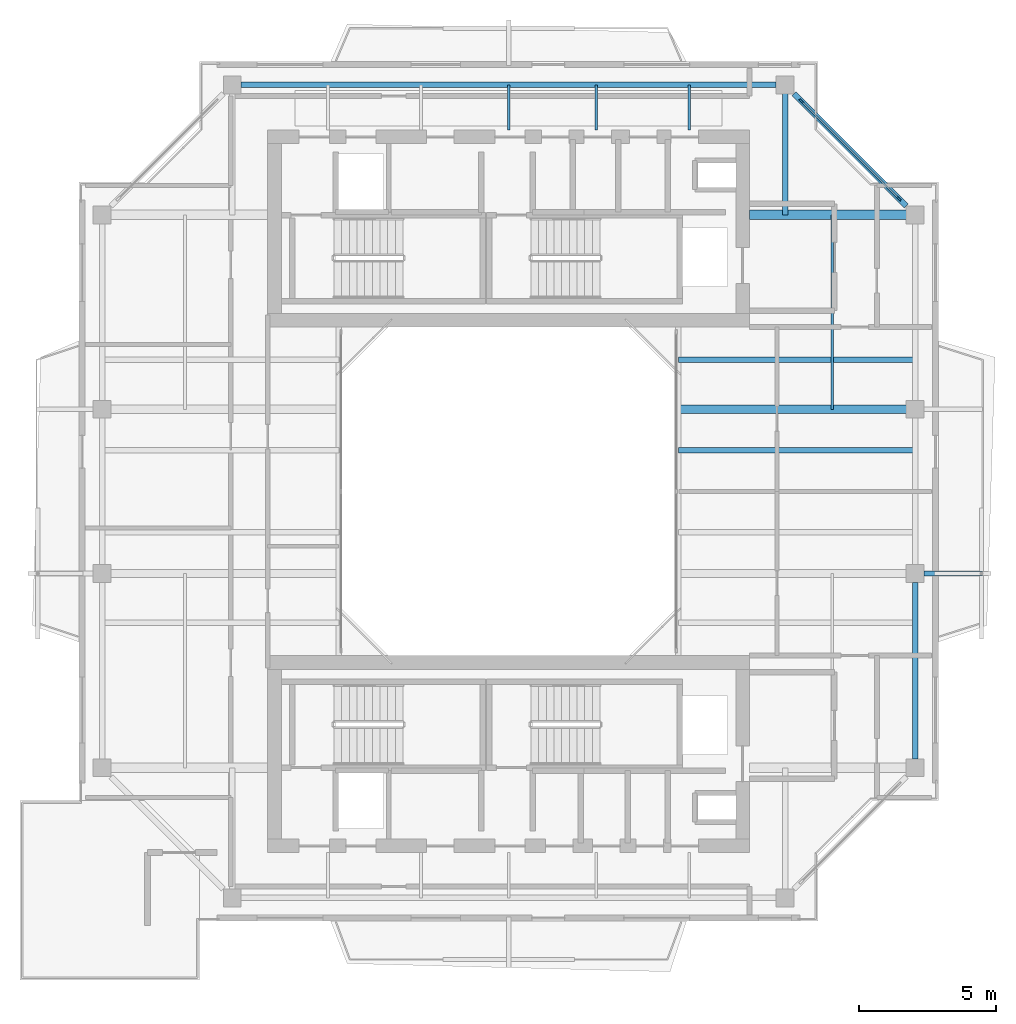
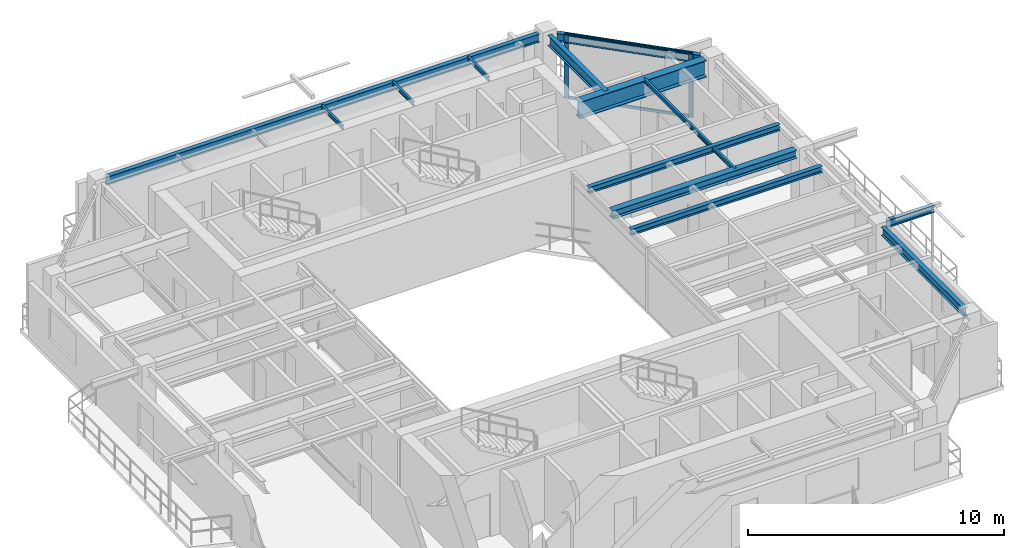
# One storey, part 5 of 14: 13 beams, 4 members, 1 element without a shape of its own.
"""IFC4 building model written with IfcOpenShell, lengths in metres."""

from ifc_helpers import new_model, si_unit, direction, frame, origin, origin_2d, place, context, subcontext, project, spatial, rectangle, i_section, extrude, source, transform, mapped, material, layer, layer_set, material_profile, profile_set, type_object, element, aggregate, save


model = new_model("IFC4")

# Units and contexts
model_context = context("Model", 3, precision=1e-05, world=origin(), true_north=direction((0.0, 1.0)))
body_context = subcontext(model_context, "Body", "Model", "MODEL_VIEW")
ifc_project = project(units=[si_unit("LENGTHUNIT", "METRE"), si_unit("AREAUNIT", "SQUARE_METRE"), si_unit("VOLUMEUNIT", "CUBIC_METRE"), si_unit("PLANEANGLEUNIT", "RADIAN"), si_unit("MASSUNIT", "GRAM", prefix="KILO"), si_unit("THERMODYNAMICTEMPERATUREUNIT", "KELVIN"), si_unit("POWERUNIT", "WATT")], contexts=[model_context])

# Site, building, storey
site_placement = place(None, origin())
site = spatial("IfcSite", under=ifc_project, at=site_placement, CompositionType="ELEMENT")
building_placement = place(site_placement, origin())
building = spatial("IfcBuilding", under=site, at=building_placement, Name="Qiaomeng Ring Towers", CompositionType="ELEMENT")
storey_placement = place(building_placement, frame((0.0, 0.0, 243.75)))
storey = spatial("IfcBuildingStorey", under=building, at=storey_placement, Name="L71", CompositionType="ELEMENT", Elevation=243.75)

# Beams
ifc_material_1 = material(Name="Steel Q355B", Category="steel")
ifc_material_profile_1 = material_profile(ifc_material_1, i_section(OverallWidth=0.198974609375, OverallDepth=0.39599609375, WebThickness=0.007080078125, FlangeThickness=0.010986328125, FilletRadius=0.01611328125, at=origin_2d()), Name="HN 396x199x7x11")
ifc_profile_set_1 = profile_set([ifc_material_profile_1], Name="Steel Q355B")
beam_type_1 = type_object("IfcBeamType", Name="STR-BM-HN396", PredefinedType="SPANDREL", material=ifc_profile_set_1)
shared_shape_1 = source(origin(), body_context, "Body", "SweptSolid", [
    extrude(i_section(OverallWidth=0.198974609375, OverallDepth=0.39599609375, WebThickness=0.007080078125, FlangeThickness=0.010986328125, FilletRadius=0.01611328125, at=origin_2d()), origin(), (0.0, 0.0, 1.0), 19.5517578125),
])
beam_1_placement = place(storey_placement, frame((28.77587890625, 37.85009765625, 2.8720703125), z_axis=(-1.0, 0.0, 0.0), x_axis=(0.0, -1.0, 0.0)))
element("IfcBeam", 1, at=beam_1_placement, inside=storey, type_object=beam_type_1, Name="L71 beam STR-SP-L71-T1-N2-N1", PredefinedType="SPANDREL", context=body_context, shape_type="MappedRepresentation", body=[
    mapped(shared_shape_1, transform((0.0, 0.0, 0.0), x_axis=(1.0, 0.0, 0.0), y_axis=(0.0, 1.0, 0.0), z_axis=(0.0, 0.0, 1.0), scale=1.0)),
])
shared_shape_2 = source(origin(), body_context, "Body", "SweptSolid", [
    extrude(i_section(OverallWidth=0.198974609375, OverallDepth=0.39599609375, WebThickness=0.007080078125, FlangeThickness=0.010986328125, FilletRadius=0.01611328125, at=origin_2d()), origin(), (0.0, 0.0, 1.0), 5.800048828125),
])
beam_2_placement = place(storey_placement, frame((33.525634765625, 33.42431640625, 2.8720703125), z_axis=(-0.707106781187, 0.707106781187, 0.0), x_axis=(-0.707106781187, -0.707106781187, 0.0)))
element("IfcBeam", 2, at=beam_2_placement, inside=storey, type_object=beam_type_1, Name="L71 beam STR-SP-L71-T1-E4-N2", PredefinedType="SPANDREL", context=body_context, shape_type="MappedRepresentation", body=[
    mapped(shared_shape_2, transform((0.0, 0.0, 0.0), x_axis=(1.0, 0.0, 0.0), y_axis=(0.0, 1.0, 0.0), z_axis=(0.0, 0.0, 1.0), scale=1.0)),
])
shared_shape_3 = source(origin(), body_context, "Body", "SweptSolid", [
    extrude(i_section(OverallWidth=0.198974609375, OverallDepth=0.39599609375, WebThickness=0.007080078125, FlangeThickness=0.010986328125, FilletRadius=0.01611328125, at=origin_2d()), origin(), (0.0, 0.0, 1.0), 6.451904296875),
])
beam_3_placement = place(storey_placement, frame((33.85009765625, 13.22412109375, 2.8720703125), z_axis=(0.0, 1.0, 0.0), x_axis=(-1.0, 0.0, 0.0)))
element("IfcBeam", 3, at=beam_3_placement, inside=storey, type_object=beam_type_1, Name="L71 beam STR-SP-L71-T1-E1-E2", PredefinedType="SPANDREL", context=body_context, shape_type="MappedRepresentation", body=[
    mapped(shared_shape_3, transform((0.0, 0.0, 0.0), x_axis=(1.0, 0.0, 0.0), y_axis=(0.0, 1.0, 0.0), z_axis=(0.0, 0.0, 1.0), scale=1.0)),
])
ifc_material_2 = material(Name="Steel Q390GJC", Category="steel")
ifc_material_profile_2 = material_profile(ifc_material_2, i_section(OverallWidth=0.35009765625, OverallDepth=0.800048828125, WebThickness=0.01611328125, FlangeThickness=0.028076171875, at=origin_2d()), Name="WH 800x350x16x28")
ifc_profile_set_2 = profile_set([ifc_material_profile_2], Name="Steel Q390GJC")
beam_type_2 = type_object("IfcBeamType", Name="STR-BM-WH800", PredefinedType="BEAM", material=ifc_profile_set_2)
shared_shape_4 = source(origin(), body_context, "Body", "SweptSolid", [
    extrude(i_section(OverallWidth=0.35009765625, OverallDepth=0.800048828125, WebThickness=0.01611328125, FlangeThickness=0.028076171875, at=origin_2d()), origin(), (0.0, 0.0, 1.0), 5.725830078125),
])
beam_4_placement = place(storey_placement, frame((27.800048828125, 33.10009765625, 2.669921875), z_axis=(1.0, 0.0, 0.0), x_axis=(0.0, 1.0, 0.0)))
element("IfcBeam", 4, at=beam_4_placement, inside=storey, type_object=beam_type_2, Name="L71 beam STR-BM-L71-T1-RAD-E4", PredefinedType="BEAM", context=body_context, shape_type="MappedRepresentation", body=[
    mapped(shared_shape_4, transform((0.0, 0.0, 0.0), x_axis=(1.0, 0.0, 0.0), y_axis=(0.0, 1.0, 0.0), z_axis=(0.0, 0.0, 1.0), scale=1.0)),
])
ifc_material_profile_3 = material_profile(ifc_material_1, i_section(OverallWidth=0.198974609375, OverallDepth=0.49609375, WebThickness=0.009033203125, FlangeThickness=0.013916015625, FilletRadius=0.01806640625, at=origin_2d()), Name="HN 496x199x9x14")
ifc_profile_set_3 = profile_set([ifc_material_profile_3], Name="Steel Q355B")
beam_type_3 = type_object("IfcBeamType", Name="STR-BM-HN496", PredefinedType="BEAM", material=ifc_profile_set_3)
shared_shape_5 = source(origin(), body_context, "Body", "SweptSolid", [
    extrude(i_section(OverallWidth=0.198974609375, OverallDepth=0.49609375, WebThickness=0.009033203125, FlangeThickness=0.013916015625, FilletRadius=0.01806640625, at=origin_2d()), origin(), (0.0, 0.0, 1.0), 4.42578125),
])
beam_5_placement = place(storey_placement, frame((29.10009765625, 37.52587890625, 2.822021484375), z_axis=(0.0, -1.0, 0.0), x_axis=(1.0, 0.0, 0.0)))
element("IfcBeam", 5, at=beam_5_placement, inside=storey, type_object=beam_type_3, Name="L71 beam STR-BM-L71-T1-RAD-N2", PredefinedType="BEAM", context=body_context, shape_type="MappedRepresentation", body=[
    mapped(shared_shape_5, transform((0.0, 0.0, 0.0), x_axis=(1.0, 0.0, 0.0), y_axis=(0.0, 1.0, 0.0), z_axis=(0.0, 0.0, 1.0), scale=1.0)),
])
ifc_material_profile_4 = material_profile(ifc_material_1, i_section(OverallWidth=0.300048828125, OverallDepth=0.389892578125, WebThickness=0.010009765625, FlangeThickness=0.01611328125, FilletRadius=0.02197265625, at=origin_2d()), Name="HM 390x300x10x16")
ifc_profile_set_4 = profile_set([ifc_material_profile_4], Name="Steel Q355B")
beam_type_4 = type_object("IfcBeamType", Name="STR-BM-HM390", PredefinedType="BEAM", material=ifc_profile_set_4)
shared_shape_6 = source(origin(), body_context, "Body", "SweptSolid", [
    extrude(i_section(OverallWidth=0.300048828125, OverallDepth=0.389892578125, WebThickness=0.010009765625, FlangeThickness=0.01611328125, FilletRadius=0.02197265625, at=origin_2d()), origin(), (0.0, 0.0, 1.0), 8.325927734375),
])
beam_6_placement = place(storey_placement, frame((25.199951171875, 26.0, 2.875), z_axis=(1.0, 0.0, 0.0), x_axis=(0.0, 1.0, 0.0)))
element("IfcBeam", 6, at=beam_6_placement, inside=storey, type_object=beam_type_4, Name="L71 beam STR-BM-L71-T1-RAD-E3", PredefinedType="BEAM", context=body_context, shape_type="MappedRepresentation", body=[
    mapped(shared_shape_6, transform((0.0, 0.0, 0.0), x_axis=(1.0, 0.0, 0.0), y_axis=(0.0, 1.0, 0.0), z_axis=(0.0, 0.0, 1.0), scale=1.0)),
])
ifc_material_profile_5 = material_profile(ifc_material_1, i_section(OverallWidth=0.175048828125, OverallDepth=0.35009765625, WebThickness=0.007080078125, FlangeThickness=0.010986328125, FilletRadius=0.013916015625, at=origin_2d()), Name="HN 350x175x7x11")
ifc_profile_set_5 = profile_set([ifc_material_profile_5], Name="Steel Q355B")
beam_type_5 = type_object("IfcBeamType", Name="STR-BM-HN350", PredefinedType="JOIST", material=ifc_profile_set_5)
shared_shape_7 = source(origin(), body_context, "Body", "SweptSolid", [
    extrude(i_section(OverallWidth=0.175048828125, OverallDepth=0.35009765625, WebThickness=0.007080078125, FlangeThickness=0.010986328125, FilletRadius=0.013916015625, at=origin_2d()), origin(), (0.0, 0.0, 1.0), 2.14599609375),
])
beam_7_placement = place(storey_placement, frame((34.174072265625, 20.0, 2.89501953125), z_axis=(1.0, 0.0, 0.0), x_axis=(0.0, 1.0, 0.0)))
element("IfcBeam", 7, at=beam_7_placement, inside=storey, type_object=beam_type_5, Name="L71 beam STR-BALBM-L71-E2", PredefinedType="JOIST", context=body_context, shape_type="MappedRepresentation", body=[
    mapped(shared_shape_7, transform((0.0, 0.0, 0.0), x_axis=(1.0, 0.0, 0.0), y_axis=(0.0, 1.0, 0.0), z_axis=(0.0, 0.0, 1.0), scale=1.0)),
])
ifc_material_profile_6 = material_profile(ifc_material_1, i_section(OverallWidth=0.10009765625, OverallDepth=0.199951171875, WebThickness=0.005615234375, FlangeThickness=0.008056640625, FilletRadius=0.010986328125, at=origin_2d()), Name="HN 200x100x5.5x8")
ifc_profile_set_6 = profile_set([ifc_material_profile_6], Name="Steel Q355B")
beam_type_6 = type_object("IfcBeamType", Name="STR-BM-HN200", PredefinedType="JOIST", material=ifc_profile_set_6)
shared_shape_8 = source(origin(), body_context, "Body", "SweptSolid", [
    extrude(i_section(OverallWidth=0.10009765625, OverallDepth=0.199951171875, WebThickness=0.005615234375, FlangeThickness=0.008056640625, FilletRadius=0.010986328125, at=origin_2d()), origin(), (0.0, 0.0, 1.0), 1.650146484375),
])
for number, where, z_axis, x_axis, name in (
    (8, (19.0, 36.199951171875, 2.969970703125), (0.0, 1.0, 0.0), (-1.0, 0.0, 0.0), "L71 beam STR-JST-L71-T1N-3"),
    (9, (22.199951171875, 36.199951171875, 2.969970703125), (0.0, 1.0, 0.0), (-1.0, 0.0, 0.0), "L71 beam STR-JST-L71-T1N-4"),
    (10, (25.60009765625, 36.199951171875, 2.969970703125), (0.0, 1.0, 0.0), (-1.0, 0.0, 0.0), "L71 beam STR-JST-L71-T1N-5"),
):
    element("IfcBeam", number, at=place(storey_placement, frame(where, z_axis=z_axis, x_axis=x_axis)), inside=storey, type_object=beam_type_6, Name=name, PredefinedType="JOIST", context=body_context, shape_type="MappedRepresentation", body=[
        mapped(shared_shape_8, transform((0.0, 0.0, 0.0), x_axis=(1.0, 0.0, 0.0), y_axis=(0.0, 1.0, 0.0), z_axis=(0.0, 0.0, 1.0), scale=1.0)),
    ])
ifc_material_profile_7 = material_profile(ifc_material_1, i_section(OverallWidth=0.199951171875, OverallDepth=0.2939453125, WebThickness=0.008056640625, FlangeThickness=0.011962890625, FilletRadius=0.01806640625, at=origin_2d()), Name="HM 294x200x8x12")
ifc_profile_set_7 = profile_set([ifc_material_profile_7], Name="Steel Q355B")
beam_type_7 = type_object("IfcBeamType", Name="STR-BM-HM294", PredefinedType="JOIST", material=ifc_profile_set_7)
shared_shape_9 = source(origin(), body_context, "Body", "SweptSolid", [
    extrude(i_section(OverallWidth=0.199951171875, OverallDepth=0.2939453125, WebThickness=0.008056640625, FlangeThickness=0.011962890625, FilletRadius=0.01806640625, at=origin_2d()), origin(), (0.0, 0.0, 1.0), 8.650146484375),
])
for number, where, z_axis, x_axis, name in (
    (11, (25.199951171875, 24.5, 2.923095703125), (1.0, 0.0, 0.0), (0.0, 1.0, 0.0), "L71 beam STR-JST-L71-T1E-3"),
    (12, (25.199951171875, 27.800048828125, 2.923095703125), (1.0, 0.0, 0.0), (0.0, 1.0, 0.0), "L71 beam STR-JST-L71-T1E-4"),
):
    element("IfcBeam", number, at=place(storey_placement, frame(where, z_axis=z_axis, x_axis=x_axis)), inside=storey, type_object=beam_type_7, Name=name, PredefinedType="JOIST", context=body_context, shape_type="MappedRepresentation", body=[
        mapped(shared_shape_9, transform((0.0, 0.0, 0.0), x_axis=(1.0, 0.0, 0.0), y_axis=(0.0, 1.0, 0.0), z_axis=(0.0, 0.0, 1.0), scale=1.0)),
    ])
shared_shape_10 = source(origin(), body_context, "Body", "SweptSolid", [
    extrude(i_section(OverallWidth=0.10009765625, OverallDepth=0.199951171875, WebThickness=0.005615234375, FlangeThickness=0.008056640625, FilletRadius=0.010986328125, at=origin_2d()), origin(), (0.0, 0.0, 1.0), 7.10009765625),
])
beam_8_placement = place(storey_placement, frame((30.824951171875, 26.0, 2.969970703125), z_axis=(0.0, 1.0, 0.0), x_axis=(-1.0, 0.0, 0.0)))
element("IfcBeam", 13, at=beam_8_placement, inside=storey, type_object=beam_type_6, Name="L71 beam STR-JST-L71-T1C-EN", PredefinedType="JOIST", context=body_context, shape_type="MappedRepresentation", body=[
    mapped(shared_shape_10, transform((0.0, 0.0, 0.0), x_axis=(1.0, 0.0, 0.0), y_axis=(0.0, 1.0, 0.0), z_axis=(0.0, 0.0, 1.0), scale=1.0)),
])

# Curtain wall, members
ifc_material_3 = material(Name="Fluorocarbon dark-grey aluminium", Category="aluminium")
ifc_layer = layer(ifc_material_3, 0.14990234375, Name="Fluorocarbon dark-grey aluminium")
ifc_layer_set = layer_set([ifc_layer], Name="Fluorocarbon dark-grey aluminium")
curtain_wall_type = type_object("IfcCurtainWallType", Name="ARC-CW-3", PredefinedType="NOTDEFINED", material=ifc_layer_set)
curtain_wall_placement = place(storey_placement, origin())
curtain_wall = element("IfcCurtainWall", 14, at=curtain_wall_placement, inside=storey, type_object=curtain_wall_type, Name="L71 Curtain Wall CW3", PredefinedType="NOTDEFINED")
ifc_material_profile_8 = material_profile(ifc_material_3, rectangle(XDim=0.070068359375, YDim=0.179931640625, at=origin_2d()), Name="ALU MULL 70x180")
ifc_profile_set_8 = profile_set([ifc_material_profile_8], Name="Fluorocarbon dark-grey aluminium")
member_type_1 = type_object("IfcMemberType", Name="ARC-CWM-160", PredefinedType="MULLION", material=ifc_profile_set_8)
shared_shape_11 = source(origin(), body_context, "Body", "SweptSolid", [
    extrude(rectangle(XDim=0.070068359375, YDim=0.179931640625, at=origin_2d()), origin(), (0.0, 0.0, 1.0), 3.070068359375),
])
member_1_placement = place(storey_placement, frame((33.26025390625, 33.689697265625, 0.0), z_axis=(0.0, 0.0, 1.0), x_axis=(-0.707106781187, -0.707106781187, 0.0)))
member_1 = element("IfcMember", 15, at=member_1_placement, type_object=member_type_1, Name="CW3 mullion 1", PredefinedType="MULLION", context=body_context, shape_type="MappedRepresentation", body=[
    mapped(shared_shape_11, transform((0.0, 0.0, 0.0), x_axis=(1.0, 0.0, 0.0), y_axis=(0.0, 1.0, 0.0), z_axis=(0.0, 0.0, 1.0), scale=1.0)),
])
member_2_placement = place(storey_placement, frame((29.689697265625, 37.26025390625, 0.0), z_axis=(0.0, 0.0, 1.0), x_axis=(-0.707106781187, -0.707106781187, 0.0)))
member_2 = element("IfcMember", 16, at=member_2_placement, type_object=member_type_1, Name="CW3 mullion 2", PredefinedType="MULLION", context=body_context, shape_type="MappedRepresentation", body=[
    mapped(shared_shape_11, transform((0.0, 0.0, 0.0), x_axis=(1.0, 0.0, 0.0), y_axis=(0.0, 1.0, 0.0), z_axis=(0.0, 0.0, 1.0), scale=1.0)),
])
ifc_material_profile_9 = material_profile(ifc_material_3, rectangle(XDim=0.06494140625, YDim=0.1298828125, at=origin_2d()), Name="ALU TRAN 65x130")
ifc_profile_set_9 = profile_set([ifc_material_profile_9], Name="Fluorocarbon dark-grey aluminium")
member_type_2 = type_object("IfcMemberType", Name="ARC-CWT-120", PredefinedType="USERDEFINED", material=ifc_profile_set_9)
shared_shape_12 = source(origin(), body_context, "Body", "SweptSolid", [
    extrude(rectangle(XDim=0.06494140625, YDim=0.1298828125, at=origin_2d()), origin(), (0.0, 0.0, 1.0), 4.9794921875),
])
member_3_placement = place(storey_placement, frame((33.235595703125, 33.714599609375, 0.032470703125), z_axis=(-0.707106781187, 0.707106781187, 0.0), x_axis=(-0.707106781187, -0.707106781187, 0.0)))
member_3 = element("IfcMember", 17, at=member_3_placement, type_object=member_type_2, Name="CW3 transom 1.1", ObjectType="TRANSOM", PredefinedType="USERDEFINED", context=body_context, shape_type="MappedRepresentation", body=[
    mapped(shared_shape_12, transform((0.0, 0.0, 0.0), x_axis=(1.0, 0.0, 0.0), y_axis=(0.0, 1.0, 0.0), z_axis=(0.0, 0.0, 1.0), scale=1.0)),
])
member_4_placement = place(storey_placement, frame((33.235595703125, 33.714599609375, 3.03759765625), z_axis=(-0.707106781187, 0.707106781187, 0.0), x_axis=(-0.707106781187, -0.707106781187, 0.0)))
member_4 = element("IfcMember", 18, at=member_4_placement, type_object=member_type_2, Name="CW3 transom 1.2", ObjectType="TRANSOM", PredefinedType="USERDEFINED", context=body_context, shape_type="MappedRepresentation", body=[
    mapped(shared_shape_12, transform((0.0, 0.0, 0.0), x_axis=(1.0, 0.0, 0.0), y_axis=(0.0, 1.0, 0.0), z_axis=(0.0, 0.0, 1.0), scale=1.0)),
])
aggregate(curtain_wall, [member_1, member_2, member_3, member_4])

save(model, "model.ifc")
